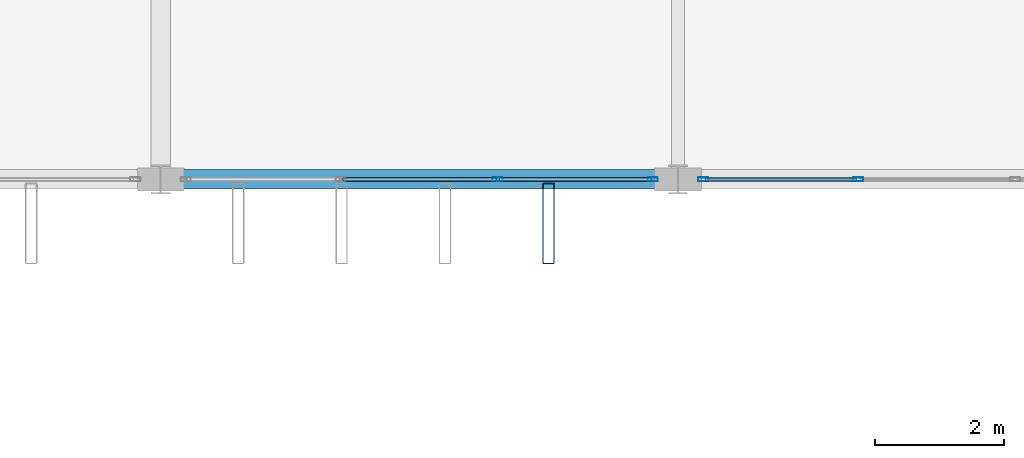
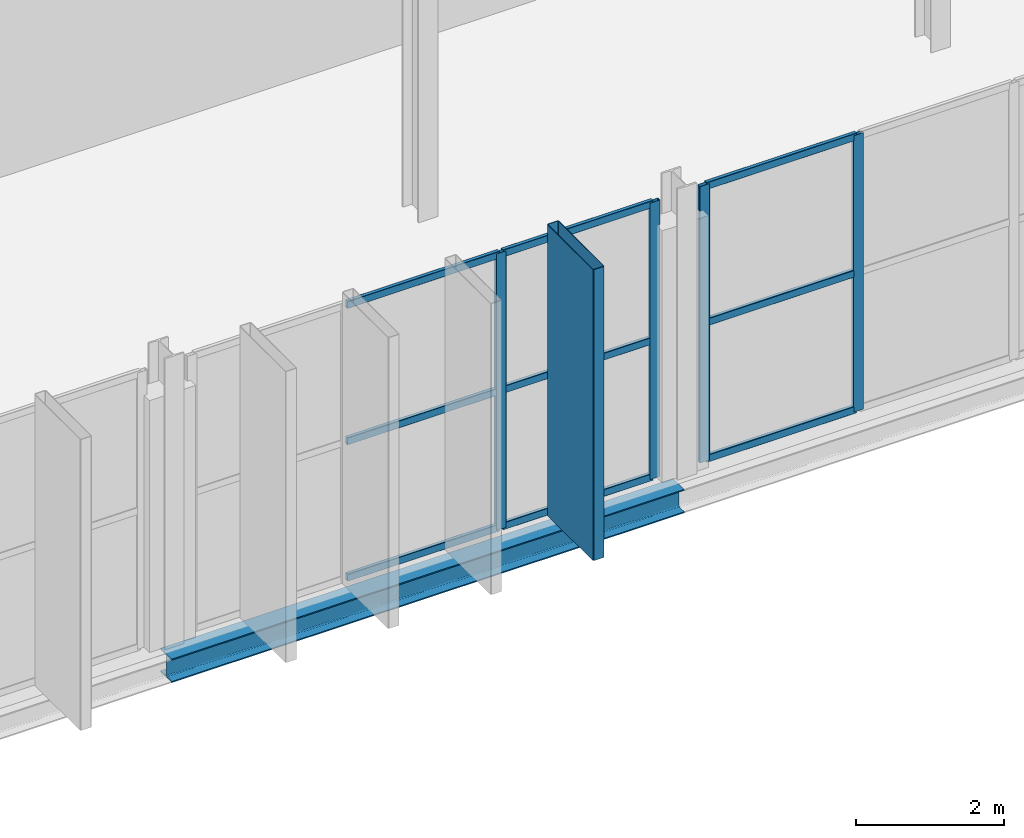
# One storey, part 24 of 120: 14 members, 1 beam, 2 elements without a shape of their own.
"""IFC4 building model written with IfcOpenShell, lengths in metres."""

from ifc_helpers import new_model, si_unit, direction, frame, origin, origin_2d, place, context, subcontext, project, spatial, hollow_rectangle, i_section, extrude, material, layer, layer_set, material_profile, profile_set, type_object, element, aggregate, save


model = new_model("IFC4")

# Units and contexts
model_context = context("Model", 3, precision=1e-05, world=origin(), true_north=direction((0.0, 1.0)))
body_context = subcontext(model_context, "Body", "Model", "MODEL_VIEW")
ifc_project = project(units=[si_unit("LENGTHUNIT", "METRE"), si_unit("AREAUNIT", "SQUARE_METRE"), si_unit("VOLUMEUNIT", "CUBIC_METRE"), si_unit("PLANEANGLEUNIT", "RADIAN"), si_unit("MASSUNIT", "GRAM", prefix="KILO")], contexts=[model_context])

# Site, building, storey
site_placement = place(None, origin())
site = spatial("IfcSite", under=ifc_project, at=site_placement, CompositionType="ELEMENT")
building_placement = place(site_placement, origin())
building = spatial("IfcBuilding", under=site, at=building_placement, Name="Vekula Escarpment Museum", CompositionType="ELEMENT")
storey_placement = place(building_placement, frame((0.0, 0.0, 13.199951171875)))
storey = spatial("IfcBuildingStorey", under=building, at=storey_placement, Name="L03", CompositionType="ELEMENT", Elevation=13.199951171875)

# Beam
ifc_material_1 = material(Name="Steel S355", Category="steel")
ifc_material_profile_1 = material_profile(ifc_material_1, i_section(OverallWidth=0.300048828125, OverallDepth=0.389892578125, WebThickness=0.010986328125, FlangeThickness=0.01904296875, FilletRadius=0.027099609375, at=origin_2d()), Name="HEA 400")
ifc_profile_set_1 = profile_set([ifc_material_profile_1], Name="Steel S355")
beam_type = type_object("IfcBeamType", Name="BM-SPAN-HEA400", PredefinedType="SPANDREL", material=ifc_profile_set_1)
beam_placement = place(storey_placement, frame((86.0, 45.60009765625, -0.445068359375), z_axis=(1.0, 0.0, 0.0), x_axis=(0.0, 1.0, 0.0)))
element("IfcBeam", 1, at=beam_placement, inside=storey, type_object=beam_type, Name="Beam X L03 1317", PredefinedType="SPANDREL", context=body_context, shape_type="SweptSolid", body=[
    extrude(i_section(OverallWidth=0.300048828125, OverallDepth=0.389892578125, WebThickness=0.010986328125, FlangeThickness=0.01904296875, FilletRadius=0.027099609375, at=origin_2d()), origin(), (0.0, 0.0, 1.0), 8.0),
])

# Curtain wall, members
ifc_material_2 = material(Name="Aluminium thermally broken framing", Category="aluminium")
ifc_layer_1 = layer(ifc_material_2, 0.199951171875)
ifc_layer_set_1 = layer_set([ifc_layer_1], Name="Aluminium thermally broken framing")
curtain_wall_type_1 = type_object("IfcCurtainWallType", Name="CW-SYS-03", PredefinedType="NOTDEFINED", material=ifc_layer_set_1)
curtain_wall_1_placement = place(storey_placement, origin())
curtain_wall_1 = element("IfcCurtainWall", 2, at=curtain_wall_1_placement, inside=storey, type_object=curtain_wall_type_1, Name="Curtain Wall CW-L03-103", PredefinedType="NOTDEFINED")
ifc_material_3 = material(Name="Aluminium anodized mullion", Category="aluminium")
ifc_material_profile_2 = material_profile(ifc_material_3, hollow_rectangle(XDim=0.06005859375, YDim=0.159912109375, WallThickness=0.00390625, InnerFilletRadius=0.00390625, OuterFilletRadius=0.008056640625, at=origin_2d()), Name="ALU 160x60x4")
ifc_profile_set_2 = profile_set([ifc_material_profile_2], Name="Aluminium anodized mullion")
member_type_1 = type_object("IfcMemberType", Name="CW-MUL-160", PredefinedType="MULLION", material=ifc_profile_set_2)
member_1_placement = place(storey_placement, frame((91.21337890625, 45.60009765625, 0.0), z_axis=(0.0, 0.0, 1.0), x_axis=(0.0, 1.0, 0.0)))
member_1 = element("IfcMember", 3, at=member_1_placement, type_object=member_type_1, Name="CW-03 mullion 3", PredefinedType="MULLION", context=body_context, shape_type="SweptSolid", body=[
    extrude(hollow_rectangle(XDim=0.06005859375, YDim=0.159912109375, WallThickness=0.00390625, InnerFilletRadius=0.00390625, OuterFilletRadius=0.008056640625, at=origin_2d()), origin(), (0.0, 0.0, 1.0), 4.56005859375),
])
member_2_placement = place(storey_placement, frame((93.610107421875, 45.60009765625, 0.0), z_axis=(0.0, 0.0, 1.0), x_axis=(0.0, 1.0, 0.0)))
member_2 = element("IfcMember", 4, at=member_2_placement, type_object=member_type_1, Name="CW-03 mullion 4", PredefinedType="MULLION", context=body_context, shape_type="SweptSolid", body=[
    extrude(hollow_rectangle(XDim=0.06005859375, YDim=0.159912109375, WallThickness=0.00390625, InnerFilletRadius=0.00390625, OuterFilletRadius=0.008056640625, at=origin_2d()), origin(), (0.0, 0.0, 1.0), 4.56005859375),
])

ifc_material_4 = material(Name="Aluminium thermally broken framing", Category="aluminium")
ifc_layer_2 = layer(ifc_material_4, 0.199951171875)
ifc_layer_set_2 = layer_set([ifc_layer_2], Name="Aluminium thermally broken framing")
curtain_wall_type_2 = type_object("IfcCurtainWallType", Name="CW-SYS-04", PredefinedType="NOTDEFINED", material=ifc_layer_set_2)
curtain_wall_2_placement = place(storey_placement, origin())
curtain_wall_2 = element("IfcCurtainWall", 5, at=curtain_wall_2_placement, inside=storey, type_object=curtain_wall_type_2, Name="Curtain Wall CW-L03-104", PredefinedType="NOTDEFINED")
member_3_placement = place(storey_placement, frame((94.389892578125, 45.60009765625, 0.0), z_axis=(0.0, 0.0, 1.0), x_axis=(0.0, 1.0, 0.0)))
member_3 = element("IfcMember", 6, at=member_3_placement, type_object=member_type_1, Name="CW-04 mullion 1", PredefinedType="MULLION", context=body_context, shape_type="SweptSolid", body=[
    extrude(hollow_rectangle(XDim=0.06005859375, YDim=0.159912109375, WallThickness=0.00390625, InnerFilletRadius=0.00390625, OuterFilletRadius=0.008056640625, at=origin_2d()), origin(), (0.0, 0.0, 1.0), 4.56005859375),
])
member_4_placement = place(storey_placement, frame((96.78662109375, 45.60009765625, 0.0), z_axis=(0.0, 0.0, 1.0), x_axis=(0.0, 1.0, 0.0)))
member_4 = element("IfcMember", 7, at=member_4_placement, type_object=member_type_1, Name="CW-04 mullion 2", PredefinedType="MULLION", context=body_context, shape_type="SweptSolid", body=[
    extrude(hollow_rectangle(XDim=0.06005859375, YDim=0.159912109375, WallThickness=0.00390625, InnerFilletRadius=0.00390625, OuterFilletRadius=0.008056640625, at=origin_2d()), origin(), (0.0, 0.0, 1.0), 4.56005859375),
])

# Member
ifc_material_5 = material(Name="Aluminium anodized transom", Category="aluminium")
ifc_material_profile_3 = material_profile(ifc_material_5, hollow_rectangle(XDim=0.06005859375, YDim=0.1201171875, WallThickness=0.00390625, InnerFilletRadius=0.00390625, OuterFilletRadius=0.008056640625, at=origin_2d()), Name="ALU 120x60x4")
ifc_profile_set_3 = profile_set([ifc_material_profile_3], Name="Aluminium anodized transom")
member_type_2 = type_object("IfcMemberType", Name="CW-TRN-120", PredefinedType="USERDEFINED", material=ifc_profile_set_3)
member_5_placement = place(storey_placement, frame((88.816650390625, 45.60009765625, 0.030029296875), z_axis=(1.0, 0.0, 0.0), x_axis=(0.0, 1.0, 0.0)))
member_5 = element("IfcMember", 8, at=member_5_placement, type_object=member_type_2, Name="CW-03 transom 2.1", ObjectType="TRANSOM", PredefinedType="USERDEFINED", context=body_context, shape_type="SweptSolid", body=[
    extrude(hollow_rectangle(XDim=0.06005859375, YDim=0.1201171875, WallThickness=0.00390625, InnerFilletRadius=0.00390625, OuterFilletRadius=0.008056640625, at=origin_2d()), origin(), (0.0, 0.0, 1.0), 2.36669921875),
])

member_6_placement = place(storey_placement, frame((88.816650390625, 45.60009765625, 2.280029296875), z_axis=(1.0, 0.0, 0.0), x_axis=(0.0, 1.0, 0.0)))
member_6 = element("IfcMember", 9, at=member_6_placement, type_object=member_type_2, Name="CW-03 transom 2.2", ObjectType="TRANSOM", PredefinedType="USERDEFINED", context=body_context, shape_type="SweptSolid", body=[
    extrude(hollow_rectangle(XDim=0.06005859375, YDim=0.1201171875, WallThickness=0.00390625, InnerFilletRadius=0.00390625, OuterFilletRadius=0.008056640625, at=origin_2d()), origin(), (0.0, 0.0, 1.0), 2.36669921875),
])

member_7_placement = place(storey_placement, frame((88.816650390625, 45.60009765625, 4.530029296875), z_axis=(1.0, 0.0, 0.0), x_axis=(0.0, 1.0, 0.0)))
member_7 = element("IfcMember", 10, at=member_7_placement, type_object=member_type_2, Name="CW-03 transom 2.3", ObjectType="TRANSOM", PredefinedType="USERDEFINED", context=body_context, shape_type="SweptSolid", body=[
    extrude(hollow_rectangle(XDim=0.06005859375, YDim=0.1201171875, WallThickness=0.00390625, InnerFilletRadius=0.00390625, OuterFilletRadius=0.008056640625, at=origin_2d()), origin(), (0.0, 0.0, 1.0), 2.36669921875),
])

member_8_placement = place(storey_placement, frame((91.243408203125, 45.60009765625, 0.030029296875), z_axis=(1.0, 0.0, 0.0), x_axis=(0.0, 1.0, 0.0)))
member_8 = element("IfcMember", 11, at=member_8_placement, type_object=member_type_2, Name="CW-03 transom 3.1", ObjectType="TRANSOM", PredefinedType="USERDEFINED", context=body_context, shape_type="SweptSolid", body=[
    extrude(hollow_rectangle(XDim=0.06005859375, YDim=0.1201171875, WallThickness=0.00390625, InnerFilletRadius=0.00390625, OuterFilletRadius=0.008056640625, at=origin_2d()), origin(), (0.0, 0.0, 1.0), 2.336669921875),
])

member_9_placement = place(storey_placement, frame((91.243408203125, 45.60009765625, 2.280029296875), z_axis=(1.0, 0.0, 0.0), x_axis=(0.0, 1.0, 0.0)))
member_9 = element("IfcMember", 12, at=member_9_placement, type_object=member_type_2, Name="CW-03 transom 3.2", ObjectType="TRANSOM", PredefinedType="USERDEFINED", context=body_context, shape_type="SweptSolid", body=[
    extrude(hollow_rectangle(XDim=0.06005859375, YDim=0.1201171875, WallThickness=0.00390625, InnerFilletRadius=0.00390625, OuterFilletRadius=0.008056640625, at=origin_2d()), origin(), (0.0, 0.0, 1.0), 2.336669921875),
])

member_10_placement = place(storey_placement, frame((91.243408203125, 45.60009765625, 4.530029296875), z_axis=(1.0, 0.0, 0.0), x_axis=(0.0, 1.0, 0.0)))
member_10 = element("IfcMember", 13, at=member_10_placement, type_object=member_type_2, Name="CW-03 transom 3.3", ObjectType="TRANSOM", PredefinedType="USERDEFINED", context=body_context, shape_type="SweptSolid", body=[
    extrude(hollow_rectangle(XDim=0.06005859375, YDim=0.1201171875, WallThickness=0.00390625, InnerFilletRadius=0.00390625, OuterFilletRadius=0.008056640625, at=origin_2d()), origin(), (0.0, 0.0, 1.0), 2.336669921875),
])

aggregate(curtain_wall_1, [member_1, member_2, member_5, member_6, member_7, member_8, member_9, member_10])

member_11_placement = place(storey_placement, frame((94.419921875, 45.60009765625, 0.030029296875), z_axis=(1.0, 0.0, 0.0), x_axis=(0.0, 1.0, 0.0)))
member_11 = element("IfcMember", 14, at=member_11_placement, type_object=member_type_2, Name="CW-04 transom 1.1", ObjectType="TRANSOM", PredefinedType="USERDEFINED", context=body_context, shape_type="SweptSolid", body=[
    extrude(hollow_rectangle(XDim=0.06005859375, YDim=0.1201171875, WallThickness=0.00390625, InnerFilletRadius=0.00390625, OuterFilletRadius=0.008056640625, at=origin_2d()), origin(), (0.0, 0.0, 1.0), 2.336669921875),
])

member_12_placement = place(storey_placement, frame((94.419921875, 45.60009765625, 2.280029296875), z_axis=(1.0, 0.0, 0.0), x_axis=(0.0, 1.0, 0.0)))
member_12 = element("IfcMember", 15, at=member_12_placement, type_object=member_type_2, Name="CW-04 transom 1.2", ObjectType="TRANSOM", PredefinedType="USERDEFINED", context=body_context, shape_type="SweptSolid", body=[
    extrude(hollow_rectangle(XDim=0.06005859375, YDim=0.1201171875, WallThickness=0.00390625, InnerFilletRadius=0.00390625, OuterFilletRadius=0.008056640625, at=origin_2d()), origin(), (0.0, 0.0, 1.0), 2.336669921875),
])

member_13_placement = place(storey_placement, frame((94.419921875, 45.60009765625, 4.530029296875), z_axis=(1.0, 0.0, 0.0), x_axis=(0.0, 1.0, 0.0)))
member_13 = element("IfcMember", 16, at=member_13_placement, type_object=member_type_2, Name="CW-04 transom 1.3", ObjectType="TRANSOM", PredefinedType="USERDEFINED", context=body_context, shape_type="SweptSolid", body=[
    extrude(hollow_rectangle(XDim=0.06005859375, YDim=0.1201171875, WallThickness=0.00390625, InnerFilletRadius=0.00390625, OuterFilletRadius=0.008056640625, at=origin_2d()), origin(), (0.0, 0.0, 1.0), 2.336669921875),
])

aggregate(curtain_wall_2, [member_3, member_4, member_11, member_12, member_13])

ifc_material_6 = material(Name="Steel S355 weathered bronze solar fin", Category="steel")
ifc_material_profile_4 = material_profile(ifc_material_6, hollow_rectangle(XDim=0.179931640625, YDim=1.25, WallThickness=0.010009765625, InnerFilletRadius=0.010009765625, OuterFilletRadius=0.02001953125, at=origin_2d()), Name="RHS 1250x180x10")
ifc_profile_set_4 = profile_set([ifc_material_profile_4], Name="Steel S355 weathered bronze solar fin")
member_type_3 = type_object("IfcMemberType", Name="MB-SOLAR-FIN", PredefinedType="USERDEFINED", material=ifc_profile_set_4)
member_14_placement = place(storey_placement, frame((92.0, 44.919921875, 0.0), z_axis=(0.0, 0.0, 1.0), x_axis=(1.0, 0.0, 0.0)))
element("IfcMember", 17, at=member_14_placement, inside=storey, type_object=member_type_3, Name="Great Hall Vertical Solar Fin 0063", ObjectType="SOLAR FIN", PredefinedType="USERDEFINED", context=body_context, shape_type="SweptSolid", body=[
    extrude(hollow_rectangle(XDim=0.179931640625, YDim=1.25, WallThickness=0.010009765625, InnerFilletRadius=0.010009765625, OuterFilletRadius=0.02001953125, at=origin_2d()), origin(), (0.0, 0.0, 1.0), 4.800048828125),
])

save(model, "model.ifc")
